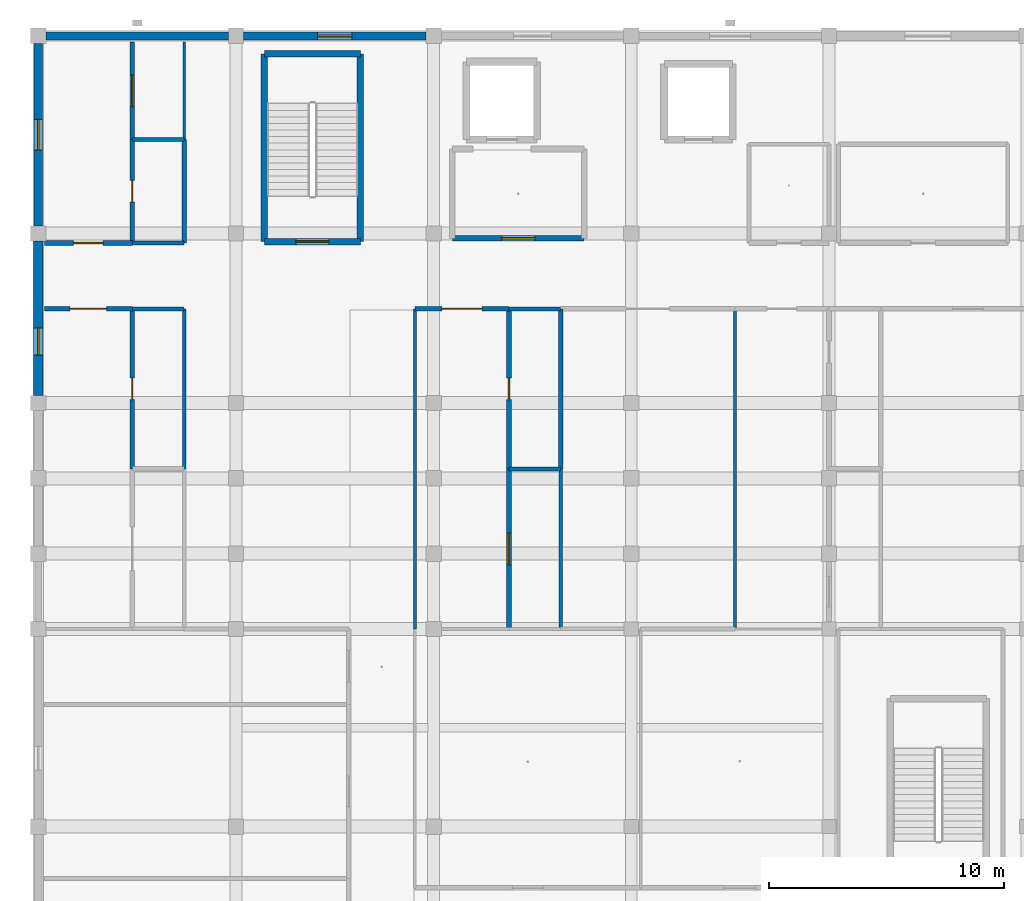
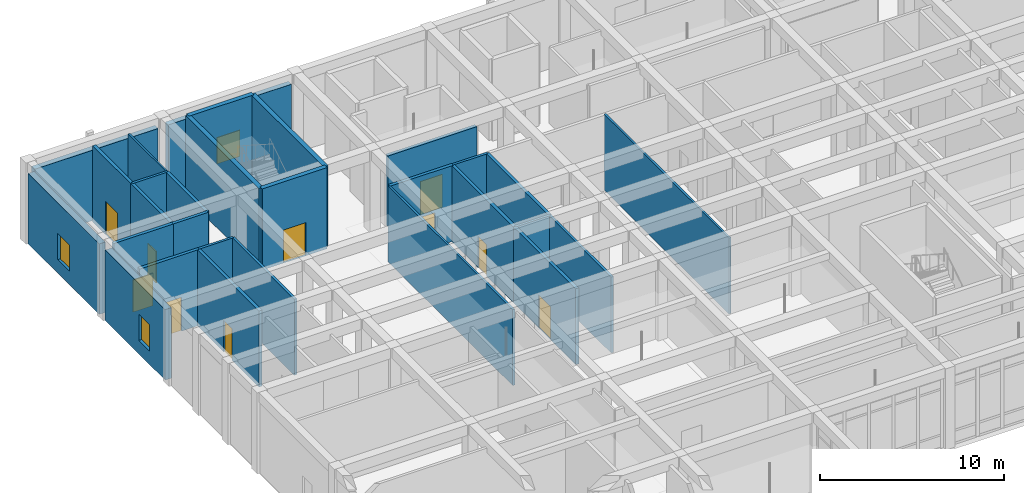
# One storey, part 81 of 157: 29 walls, 10 doors, 3 windows, 13 openings.
"""IFC4 building model written with IfcOpenShell, lengths in metres."""

from ifc_helpers import new_model, si_unit, direction, frame, frame_2d, origin, place, context, subcontext, project, spatial, rectangle, extrude, material, layer, layer_set, type_object, element, fill, save


model = new_model("IFC4")

# Units and contexts
model_context = context("Model", 3, precision=1e-05, world=origin(), true_north=direction((0.0, 1.0)))
body_context = subcontext(model_context, "Body", "Model", "MODEL_VIEW")
ifc_project = project(units=[si_unit("LENGTHUNIT", "METRE"), si_unit("AREAUNIT", "SQUARE_METRE"), si_unit("VOLUMEUNIT", "CUBIC_METRE"), si_unit("PLANEANGLEUNIT", "RADIAN"), si_unit("MASSUNIT", "GRAM", prefix="KILO")], contexts=[model_context])

# Site, building, storey
site_placement = place(None, origin())
site = spatial("IfcSite", under=ifc_project, at=site_placement, CompositionType="ELEMENT")
building_placement = place(site_placement, origin())
building = spatial("IfcBuilding", under=site, at=building_placement, Name="Varncliffe General Hospital", CompositionType="ELEMENT")
storey_placement = place(building_placement, frame((0.0, 0.0, 5.39990234375)))
storey = spatial("IfcBuildingStorey", under=building, at=storey_placement, Name="L01", CompositionType="ELEMENT", Elevation=5.39990234375)

# Wall, opening, window
ifc_material_1 = material(Name="Precast concrete C40/50 with insulated cream lime-cement stucco", Category="concrete")
ifc_layer_1 = layer(ifc_material_1, 0.3798828125)
ifc_layer_set_1 = layer_set([ifc_layer_1], Name="Precast concrete C40/50 with insulated cream lime-cement stucco")
wall_type_1 = type_object("IfcWallType", Name="Exterior Insulated Stucco Wall EW26 (380mm)", PredefinedType="SOLIDWALL", material=ifc_layer_set_1)
wall_1_placement = place(storey_placement, frame((0.0, 116.722900390625, 0.0), z_axis=(0.0, 0.0, 1.0), x_axis=(0.0, 1.0, 0.0)))
wall_1 = element("IfcWall", 1, at=wall_1_placement, inside=storey, type_object=wall_type_1, Name="L01 Exterior Stucco Wall EW26-113", PredefinedType="SOLIDWALL", context=body_context, shape_type="SweptSolid", body=[
    extrude(rectangle(XDim=7.754150390625, YDim=0.3798828125, at=frame_2d((3.876953125, 0.0))), origin(), (0.0, 0.0, 1.0), 4.68017578125),
])
opening_1_placement = place(wall_1_placement, frame((3.22705078125, 0.0, 0.89990234375)))
opening_1 = element("IfcOpeningElement", 2, at=opening_1_placement, cuts=wall_1, Name="Opening WN40", PredefinedType="OPENING", context=body_context, shape_type="SweptSolid", body=[
    extrude(rectangle(XDim=1.300048828125, YDim=1.75, at=frame_2d((0.64990234375, 0.875))), frame((0.0, 0.199951171875, 0.0), z_axis=(0.0, -1.0, 0.0), x_axis=(1.0, 0.0, 0.0)), (0.0, 0.0, 1.0), 0.39990234375),
])
ifc_material_2 = material(Name="Triple low-E argon insulated vision glazing", Category="glass")
window_type_1 = type_object("IfcWindowType", Name="Triple-Glazed Hospital Window WN40 (1300x1750)", PartitioningType="SINGLE_PANEL", PredefinedType="WINDOW", material=ifc_material_2)
window_1_placement = place(opening_1_placement, origin())
window_1 = element("IfcWindow", 3, at=window_1_placement, inside=storey, type_object=window_type_1, Name="L01 Hospital Window WN40-61", OverallHeight=1.75, OverallWidth=1.300048828125, PartitioningType="SINGLE_PANEL", PredefinedType="WINDOW", context=body_context, shape_type="SweptSolid", body=[
    extrude(rectangle(XDim=1.300048828125, YDim=1.75, at=frame_2d((0.64990234375, 0.875))), frame((0.0, 0.030029296875, 0.0), z_axis=(0.0, -1.0, 0.0), x_axis=(1.0, 0.0, 0.0)), (0.0, 0.0, 1.0), 0.06005859375),
])
fill(opening_1, window_1)

ifc_layer_2 = layer(ifc_material_1, 0.330078125)
ifc_layer_set_2 = layer_set([ifc_layer_2], Name="Precast concrete C40/50 with insulated cream lime-cement stucco")
wall_type_2 = type_object("IfcWallType", Name="Exterior Insulated Stucco Wall EW33 (330mm)", PredefinedType="SOLIDWALL", material=ifc_layer_set_2)
wall_2_placement = place(storey_placement, frame((8.722900390625, 124.800048828125, 0.0), z_axis=(0.0, 0.0, 1.0), x_axis=(1.0, 0.0, 0.0)))
wall_2 = element("IfcWall", 4, at=wall_2_placement, inside=storey, type_object=wall_type_2, Name="L01 Exterior Stucco Wall EW33-115", PredefinedType="SOLIDWALL", context=body_context, shape_type="SweptSolid", body=[
    extrude(rectangle(XDim=7.754150390625, YDim=0.330078125, at=frame_2d((3.876953125, 0.0))), origin(), (0.0, 0.0, 1.0), 4.68017578125),
])
opening_2_placement = place(wall_2_placement, frame((3.152099609375, 0.0, 0.89990234375)))
opening_2 = element("IfcOpeningElement", 5, at=opening_2_placement, cuts=wall_2, Name="Opening WN88", PredefinedType="OPENING", context=body_context, shape_type="SweptSolid", body=[
    extrude(rectangle(XDim=1.449951171875, YDim=1.75, at=frame_2d((0.72509765625, 0.875))), frame((0.0, 0.175048828125, 0.0), z_axis=(0.0, -1.0, 0.0), x_axis=(1.0, 0.0, 0.0)), (0.0, 0.0, 1.0), 0.35009765625),
])
window_type_2 = type_object("IfcWindowType", Name="Triple-Glazed Hospital Window WN88 (1450x1750)", PartitioningType="SINGLE_PANEL", PredefinedType="WINDOW", material=ifc_material_2)
window_2_placement = place(opening_2_placement, origin())
window_2 = element("IfcWindow", 6, at=window_2_placement, inside=storey, type_object=window_type_2, Name="L01 Hospital Window WN88-62", OverallHeight=1.75, OverallWidth=1.449951171875, PartitioningType="SINGLE_PANEL", PredefinedType="WINDOW", context=body_context, shape_type="SweptSolid", body=[
    extrude(rectangle(XDim=1.449951171875, YDim=1.75, at=frame_2d((0.72509765625, 0.875))), frame((0.0, 0.030029296875, 0.0), z_axis=(0.0, -1.0, 0.0), x_axis=(1.0, 0.0, 0.0)), (0.0, 0.0, 1.0), 0.06005859375),
])
fill(opening_2, window_2)

# Wall
ifc_layer_3 = layer(ifc_material_1, 0.35009765625)
ifc_layer_set_3 = layer_set([ifc_layer_3], Name="Precast concrete C40/50 with insulated cream lime-cement stucco")
wall_type_3 = type_object("IfcWallType", Name="Exterior Insulated Stucco Wall EW37 (350mm)", PredefinedType="SOLIDWALL", material=ifc_layer_set_3)
wall_3_placement = place(storey_placement, frame((0.322998046875, 124.800048828125, 0.0), z_axis=(0.0, 0.0, 1.0), x_axis=(1.0, 0.0, 0.0)))
element("IfcWall", 7, at=wall_3_placement, inside=storey, type_object=wall_type_3, Name="L01 Exterior Stucco Wall EW37-114", PredefinedType="SOLIDWALL", context=body_context, shape_type="SweptSolid", body=[
    extrude(rectangle(XDim=7.75390625, YDim=0.35009765625, at=frame_2d((3.876953125, 0.0))), origin(), (0.0, 0.0, 1.0), 4.68017578125),
])

# Wall, opening, window
ifc_layer_4 = layer(ifc_material_1, 0.39990234375)
ifc_layer_set_4 = layer_set([ifc_layer_4], Name="Precast concrete C40/50 with insulated cream lime-cement stucco")
wall_type_4 = type_object("IfcWallType", Name="Exterior Insulated Stucco Wall EW47 (400mm)", PredefinedType="SOLIDWALL", material=ifc_layer_set_4)
wall_4_placement = place(storey_placement, frame((0.0, 109.52294921875, 0.0), z_axis=(0.0, 0.0, 1.0), x_axis=(0.0, 1.0, 0.0)))
wall_4 = element("IfcWall", 8, at=wall_4_placement, inside=storey, type_object=wall_type_4, Name="L01 Exterior Stucco Wall EW47-112", PredefinedType="SOLIDWALL", context=body_context, shape_type="SweptSolid", body=[
    extrude(rectangle(XDim=6.553955078125, YDim=0.39990234375, at=frame_2d((3.27685546875, 0.0))), origin(), (0.0, 0.0, 1.0), 4.68017578125),
])
opening_3_placement = place(wall_4_placement, frame((1.711181640625, 0.0, 0.89990234375)))
opening_3 = element("IfcOpeningElement", 9, at=opening_3_placement, cuts=wall_4, Name="Opening WN60", PredefinedType="OPENING", context=body_context, shape_type="SweptSolid", body=[
    extrude(rectangle(XDim=1.14990234375, YDim=1.75, at=frame_2d((0.574951171875, 0.875))), frame((0.0, 0.2099609375, 0.0), z_axis=(0.0, -1.0, 0.0), x_axis=(1.0, 0.0, 0.0)), (0.0, 0.0, 1.0), 0.419921875),
])
window_type_3 = type_object("IfcWindowType", Name="Triple-Glazed Hospital Window WN60 (1150x1750)", PartitioningType="SINGLE_PANEL", PredefinedType="WINDOW", material=ifc_material_2)
window_3_placement = place(opening_3_placement, origin())
window_3 = element("IfcWindow", 10, at=window_3_placement, inside=storey, type_object=window_type_3, Name="L01 Hospital Window WN60-60", OverallHeight=1.75, OverallWidth=1.14990234375, PartitioningType="SINGLE_PANEL", PredefinedType="WINDOW", context=body_context, shape_type="SweptSolid", body=[
    extrude(rectangle(XDim=1.14990234375, YDim=1.75, at=frame_2d((0.574951171875, 0.875))), frame((0.0, 0.030029296875, 0.0), z_axis=(0.0, -1.0, 0.0), x_axis=(1.0, 0.0, 0.0)), (0.0, 0.0, 1.0), 0.06005859375),
])
fill(opening_3, window_3)

# Walls
ifc_material_3 = material(Name="Acoustic clinical gypsum stud partition assembly", Category="gypsum")
ifc_layer_5 = layer(ifc_material_3, 0.1298828125)
ifc_layer_set_5 = layer_set([ifc_layer_5], Name="Acoustic clinical gypsum stud partition assembly")
wall_type_5 = type_object("IfcWallType", Name="Interior Partitioning IW11 (130mm)", PredefinedType="PARTITIONING", material=ifc_layer_set_5)
for number, where, z_axis, x_axis, name in (
    (11, (16.0, 99.60009765625, 0.0), (0.0, 0.0, 1.0), (0.0, 1.0, 0.0), "L01 Interior Partition Wall IW11-693"),
    (12, (29.60009765625, 99.60009765625, 0.0), (0.0, 0.0, 1.0), (0.0, 1.0, 0.0), "L01 Interior Partition Wall IW11-708"),
):
    element("IfcWall", number, at=place(storey_placement, frame(where, z_axis=z_axis, x_axis=x_axis)), inside=storey, type_object=wall_type_5, Name=name, PredefinedType="PARTITIONING", context=body_context, shape_type="SweptSolid", body=[
        extrude(rectangle(XDim=13.599853515625, YDim=0.1298828125, at=frame_2d((6.7998046875, 0.0))), origin(), (0.0, 0.0, 1.0), 5.050048828125),
    ])
ifc_layer_6 = layer(ifc_material_3, 0.14990234375)
ifc_layer_set_6 = layer_set([ifc_layer_6], Name="Acoustic clinical gypsum stud partition assembly")
wall_type_6 = type_object("IfcWallType", Name="Interior Partitioning IW35 (150mm)", PredefinedType="PARTITIONING", material=ifc_layer_set_6)
wall_5_placement = place(storey_placement, frame((22.199951171875, 99.60009765625, 0.0), z_axis=(0.0, 0.0, 1.0), x_axis=(0.0, 1.0, 0.0)))
element("IfcWall", 13, at=wall_5_placement, inside=storey, type_object=wall_type_6, Name="L01 Interior Partition Wall IW35-699", PredefinedType="PARTITIONING", context=body_context, shape_type="SweptSolid", body=[
    extrude(rectangle(XDim=6.7998046875, YDim=0.14990234375, at=frame_2d((3.39990234375, 0.0))), origin(), (0.0, 0.0, 1.0), 5.050048828125),
])
ifc_layer_7 = layer(ifc_material_3, 0.110107421875)
ifc_layer_set_7 = layer_set([ifc_layer_7], Name="Acoustic clinical gypsum stud partition assembly")
wall_type_7 = type_object("IfcWallType", Name="Interior Partitioning IW65 (110mm)", PredefinedType="PARTITIONING", material=ifc_layer_set_7)
wall_6_placement = place(storey_placement, frame((6.199951171875, 120.39990234375, 0.0), z_axis=(0.0, 0.0, 1.0), x_axis=(0.0, 1.0, 0.0)))
element("IfcWall", 14, at=wall_6_placement, inside=storey, type_object=wall_type_7, Name="L01 Interior Partition Wall IW65-677", PredefinedType="PARTITIONING", context=body_context, shape_type="SweptSolid", body=[
    extrude(rectangle(XDim=4.14013671875, YDim=0.110107421875, at=frame_2d((2.070068359375, 0.0))), origin(), (0.0, 0.0, 1.0), 5.050048828125),
])

# Wall, opening, door
ifc_material_4 = material(Name="Fire-rated gypsum and mineral-wool partition assembly", Category="gypsum")
ifc_layer_8 = layer(ifc_material_4, 0.22998046875)
ifc_layer_set_8 = layer_set([ifc_layer_8], Name="Fire-rated gypsum and mineral-wool partition assembly")
wall_type_8 = type_object("IfcWallType", Name="Interior Partitioning PW48 (230mm)", PredefinedType="PARTITIONING", material=ifc_layer_set_8)
wall_7_placement = place(storey_placement, frame((17.60009765625, 116.199951171875, 0.0), z_axis=(0.0, 0.0, 1.0), x_axis=(1.0, 0.0, 0.0)))
wall_7 = element("IfcWall", 15, at=wall_7_placement, inside=storey, type_object=wall_type_8, Name="L01 Interior Partition Wall PW48-654", PredefinedType="PARTITIONING", context=body_context, shape_type="SweptSolid", body=[
    extrude(rectangle(XDim=5.599853515625, YDim=0.22998046875, at=frame_2d((2.7998046875, 0.0))), origin(), (0.0, 0.0, 1.0), 4.68505859375),
])
opening_4_placement = place(wall_7_placement, frame((2.10009765625, 0.0, 0.0)))
opening_4 = element("IfcOpeningElement", 16, at=opening_4_placement, cuts=wall_7, Name="Opening DF81", PredefinedType="OPENING", context=body_context, shape_type="SweptSolid", body=[
    extrude(rectangle(XDim=1.39990234375, YDim=2.199951171875, at=frame_2d((0.699951171875, 1.10009765625))), frame((0.0, 0.125, 0.0), z_axis=(0.0, -1.0, 0.0), x_axis=(1.0, 0.0, 0.0)), (0.0, 0.0, 1.0), 0.25),
])
ifc_material_5 = material(Name="Fire-rated hospital steel-frame vision-panel door", Category="steel")
door_type_1 = type_object("IfcDoorType", Name="Interior Hospital Door DF81 (1400x2200)", OperationType="NOTDEFINED", PredefinedType="DOOR", material=ifc_material_5)
door_1_placement = place(opening_4_placement, origin())
door_1 = element("IfcDoor", 17, at=door_1_placement, inside=storey, type_object=door_type_1, Name="L01 Firefighting Lift Lobby LF01 Door", OperationType="SINGLE_SWING_LEFT", OverallHeight=2.199951171875, OverallWidth=1.39990234375, PredefinedType="DOOR", context=body_context, shape_type="SweptSolid", body=[
    extrude(rectangle(XDim=1.39990234375, YDim=2.199951171875, at=frame_2d((0.699951171875, 1.10009765625))), frame((0.0, 0.02490234375, 0.0), z_axis=(0.0, -1.0, 0.0), x_axis=(1.0, 0.0, 0.0)), (0.0, 0.0, 1.0), 0.050048828125),
])
fill(opening_4, door_1)

ifc_layer_9 = layer(ifc_material_4, 0.199951171875)
ifc_layer_set_9 = layer_set([ifc_layer_9], Name="Fire-rated gypsum and mineral-wool partition assembly")
wall_type_9 = type_object("IfcWallType", Name="Interior Partitioning PW63 (200mm)", PredefinedType="PARTITIONING", material=ifc_layer_set_9)
wall_8_placement = place(storey_placement, frame((0.260009765625, 113.199951171875, 0.0), z_axis=(0.0, 0.0, 1.0), x_axis=(1.0, 0.0, 0.0)))
wall_8 = element("IfcWall", 18, at=wall_8_placement, inside=storey, type_object=wall_type_9, Name="L01 Interior Partition Wall PW63-614", PredefinedType="PARTITIONING", context=body_context, shape_type="SweptSolid", body=[
    extrude(rectangle(XDim=3.739990234375, YDim=0.199951171875, at=frame_2d((1.8701171875, 0.0))), origin(), (0.0, 0.0, 1.0), 5.050048828125),
])
opening_5_placement = place(wall_8_placement, frame((1.094970703125, 0.0, 0.0)))
opening_5 = element("IfcOpeningElement", 19, at=opening_5_placement, cuts=wall_8, Name="Opening DC67", PredefinedType="OPENING", context=body_context, shape_type="SweptSolid", body=[
    extrude(rectangle(XDim=1.550048828125, YDim=2.25, at=frame_2d((0.77490234375, 1.125))), frame((0.0, 0.10986328125, 0.0), z_axis=(0.0, -1.0, 0.0), x_axis=(1.0, 0.0, 0.0)), (0.0, 0.0, 1.0), 0.219970703125),
])
door_type_2 = type_object("IfcDoorType", Name="Interior Hospital Door DC67 (1550x2250)", OperationType="NOTDEFINED", PredefinedType="DOOR", material=ifc_material_5)
door_2_placement = place(opening_5_placement, frame((1.550048828125, 0.0, 0.0), z_axis=(0.0, 0.0, 1.0), x_axis=(-1.0, 0.0, 0.0)))
door_2 = element("IfcDoor", 20, at=door_2_placement, inside=storey, type_object=door_type_2, Name="L01 General Medical Inpatient Room 131 Door", OperationType="SINGLE_SWING_RIGHT", OverallHeight=2.25, OverallWidth=1.550048828125, PredefinedType="DOOR", context=body_context, shape_type="SweptSolid", body=[
    extrude(rectangle(XDim=1.550048828125, YDim=2.25, at=frame_2d((0.77490234375, 1.125))), frame((0.0, 0.02490234375, 0.0), z_axis=(0.0, -1.0, 0.0), x_axis=(1.0, 0.0, 0.0)), (0.0, 0.0, 1.0), 0.050048828125),
])
fill(opening_5, door_2)

wall_9_placement = place(storey_placement, frame((16.0, 113.199951171875, 0.0), z_axis=(0.0, 0.0, 1.0), x_axis=(1.0, 0.0, 0.0)))
wall_9 = element("IfcWall", 21, at=wall_9_placement, inside=storey, type_object=wall_type_9, Name="L01 Interior Partition Wall PW63-616", PredefinedType="PARTITIONING", context=body_context, shape_type="SweptSolid", body=[
    extrude(rectangle(XDim=4.0, YDim=0.199951171875, at=frame_2d((2.0, 0.0))), origin(), (0.0, 0.0, 1.0), 5.050048828125),
])
opening_6_placement = place(wall_9_placement, frame((1.14990234375, 0.0, 0.0)))
opening_6 = element("IfcOpeningElement", 22, at=opening_6_placement, cuts=wall_9, Name="Opening DC50", PredefinedType="OPENING", context=body_context, shape_type="SweptSolid", body=[
    extrude(rectangle(XDim=1.699951171875, YDim=2.300048828125, at=frame_2d((0.85009765625, 1.14990234375))), frame((0.0, 0.10986328125, 0.0), z_axis=(0.0, -1.0, 0.0), x_axis=(1.0, 0.0, 0.0)), (0.0, 0.0, 1.0), 0.219970703125),
])
door_type_3 = type_object("IfcDoorType", Name="Interior Hospital Door DC50 (1700x2300)", OperationType="NOTDEFINED", PredefinedType="DOOR", material=ifc_material_5)
door_3_placement = place(opening_6_placement, frame((1.699951171875, 0.0, 0.0), z_axis=(0.0, 0.0, 1.0), x_axis=(-1.0, 0.0, 0.0)))
door_3 = element("IfcDoor", 23, at=door_3_placement, inside=storey, type_object=door_type_3, Name="L01 General Medical Inpatient Room 134 Door", OperationType="SINGLE_SWING_LEFT", OverallHeight=2.300048828125, OverallWidth=1.699951171875, PredefinedType="DOOR", context=body_context, shape_type="SweptSolid", body=[
    extrude(rectangle(XDim=1.699951171875, YDim=2.300048828125, at=frame_2d((0.85009765625, 1.14990234375))), frame((0.0, 0.02490234375, 0.0), z_axis=(0.0, -1.0, 0.0), x_axis=(1.0, 0.0, 0.0)), (0.0, 0.0, 1.0), 0.050048828125),
])
fill(opening_6, door_3)

wall_10_placement = place(storey_placement, frame((0.260009765625, 116.0, 0.0), z_axis=(0.0, 0.0, 1.0), x_axis=(1.0, 0.0, 0.0)))
wall_10 = element("IfcWall", 24, at=wall_10_placement, inside=storey, type_object=wall_type_9, Name="L01 Interior Partition Wall PW63-641", PredefinedType="PARTITIONING", context=body_context, shape_type="SweptSolid", body=[
    extrude(rectangle(XDim=3.739990234375, YDim=0.199951171875, at=frame_2d((1.8701171875, 0.0))), origin(), (0.0, 0.0, 1.0), 5.050048828125),
])
opening_7_placement = place(wall_10_placement, frame((1.2451171875, 0.0, 0.0)))
opening_7 = element("IfcOpeningElement", 25, at=opening_7_placement, cuts=wall_10, Name="Opening DC44", PredefinedType="OPENING", context=body_context, shape_type="SweptSolid", body=[
    extrude(rectangle(XDim=1.25, YDim=2.14990234375, at=frame_2d((0.625, 1.074951171875))), frame((0.0, 0.10986328125, 0.0), z_axis=(0.0, -1.0, 0.0), x_axis=(1.0, 0.0, 0.0)), (0.0, 0.0, 1.0), 0.219970703125),
])
door_type_4 = type_object("IfcDoorType", Name="Interior Hospital Door DC44 (1250x2150)", OperationType="NOTDEFINED", PredefinedType="DOOR", material=ifc_material_5)
door_4_placement = place(opening_7_placement, origin())
door_4 = element("IfcDoor", 26, at=door_4_placement, inside=storey, type_object=door_type_4, Name="L01 General Medical Inpatient Room 168 Door", OperationType="SINGLE_SWING_LEFT", OverallHeight=2.14990234375, OverallWidth=1.25, PredefinedType="DOOR", context=body_context, shape_type="SweptSolid", body=[
    extrude(rectangle(XDim=1.25, YDim=2.14990234375, at=frame_2d((0.625, 1.074951171875))), frame((0.0, 0.02490234375, 0.0), z_axis=(0.0, -1.0, 0.0), x_axis=(1.0, 0.0, 0.0)), (0.0, 0.0, 1.0), 0.050048828125),
])
fill(opening_7, door_4)

wall_11_placement = place(storey_placement, frame((4.0, 106.39990234375, 0.0), z_axis=(0.0, 0.0, 1.0), x_axis=(0.0, 1.0, 0.0)))
wall_11 = element("IfcWall", 27, at=wall_11_placement, inside=storey, type_object=wall_type_9, Name="L01 Interior Partition Wall PW63-671", PredefinedType="PARTITIONING", context=body_context, shape_type="SweptSolid", body=[
    extrude(rectangle(XDim=6.800048828125, YDim=0.199951171875, at=frame_2d((3.39990234375, 0.0))), origin(), (0.0, 0.0, 1.0), 5.050048828125),
])
opening_8_placement = place(wall_11_placement, frame((2.93994140625, 0.0, 0.0)))
opening_8 = element("IfcOpeningElement", 28, at=opening_8_placement, cuts=wall_11, Name="Opening DI70", PredefinedType="OPENING", context=body_context, shape_type="SweptSolid", body=[
    extrude(rectangle(XDim=0.919921875, YDim=2.10009765625, at=frame_2d((0.4599609375, 1.050048828125))), frame((0.0, 0.10986328125, 0.0), z_axis=(0.0, -1.0, 0.0), x_axis=(1.0, 0.0, 0.0)), (0.0, 0.0, 1.0), 0.219970703125),
])
ifc_material_6 = material(Name="Solid-core antimicrobial hospital oak veneer door", Category="wood")
door_type_5 = type_object("IfcDoorType", Name="Interior Hospital Door DI70 (920x2100)", OperationType="NOTDEFINED", PredefinedType="DOOR", material=ifc_material_6)
door_5_placement = place(opening_8_placement, frame((0.919921875, 0.0, 0.0), z_axis=(0.0, 0.0, 1.0), x_axis=(-1.0, 0.0, 0.0)))
door_5 = element("IfcDoor", 29, at=door_5_placement, inside=storey, type_object=door_type_5, Name="L01 En-Suite Bathroom 132 Door", OperationType="SINGLE_SWING_LEFT", OverallHeight=2.10009765625, OverallWidth=0.919921875, PredefinedType="DOOR", context=body_context, shape_type="SweptSolid", body=[
    extrude(rectangle(XDim=0.919921875, YDim=2.10009765625, at=frame_2d((0.4599609375, 1.050048828125))), frame((0.0, 0.02490234375, 0.0), z_axis=(0.0, -1.0, 0.0), x_axis=(1.0, 0.0, 0.0)), (0.0, 0.0, 1.0), 0.050048828125),
])
fill(opening_8, door_5)

wall_12_placement = place(storey_placement, frame((4.0, 116.0, 0.0), z_axis=(0.0, 0.0, 1.0), x_axis=(0.0, 1.0, 0.0)))
wall_12 = element("IfcWall", 30, at=wall_12_placement, inside=storey, type_object=wall_type_9, Name="L01 Interior Partition Wall PW63-672", PredefinedType="PARTITIONING", context=body_context, shape_type="SweptSolid", body=[
    extrude(rectangle(XDim=4.39990234375, YDim=0.199951171875, at=frame_2d((2.199951171875, 0.0))), origin(), (0.0, 0.0, 1.0), 5.050048828125),
])
opening_9_placement = place(wall_12_placement, frame((1.739990234375, 0.0, 0.0)))
opening_9 = element("IfcOpeningElement", 31, at=opening_9_placement, cuts=wall_12, Name="Opening DI70", PredefinedType="OPENING", context=body_context, shape_type="SweptSolid", body=[
    extrude(rectangle(XDim=0.919921875, YDim=2.10009765625, at=frame_2d((0.4599609375, 1.050048828125))), frame((0.0, 0.10986328125, 0.0), z_axis=(0.0, -1.0, 0.0), x_axis=(1.0, 0.0, 0.0)), (0.0, 0.0, 1.0), 0.219970703125),
])
door_6_placement = place(opening_9_placement, frame((0.919921875, 0.0, 0.0), z_axis=(0.0, 0.0, 1.0), x_axis=(-1.0, 0.0, 0.0)))
door_6 = element("IfcDoor", 32, at=door_6_placement, inside=storey, type_object=door_type_5, Name="L01 En-Suite Bathroom 169 Door", OperationType="SINGLE_SWING_RIGHT", OverallHeight=2.10009765625, OverallWidth=0.919921875, PredefinedType="DOOR", context=body_context, shape_type="SweptSolid", body=[
    extrude(rectangle(XDim=0.919921875, YDim=2.10009765625, at=frame_2d((0.4599609375, 1.050048828125))), frame((0.0, 0.02490234375, 0.0), z_axis=(0.0, -1.0, 0.0), x_axis=(1.0, 0.0, 0.0)), (0.0, 0.0, 1.0), 0.050048828125),
])
fill(opening_9, door_6)

wall_13_placement = place(storey_placement, frame((4.0, 120.39990234375, 0.0), z_axis=(0.0, 0.0, 1.0), x_axis=(0.0, 1.0, 0.0)))
wall_13 = element("IfcWall", 33, at=wall_13_placement, inside=storey, type_object=wall_type_9, Name="L01 Interior Partition Wall PW63-673", PredefinedType="PARTITIONING", context=body_context, shape_type="SweptSolid", body=[
    extrude(rectangle(XDim=4.14013671875, YDim=0.199951171875, at=frame_2d((2.070068359375, 0.0))), origin(), (0.0, 0.0, 1.0), 5.050048828125),
])
opening_10_placement = place(wall_13_placement, frame((1.39501953125, 0.0, 0.0)))
opening_10 = element("IfcOpeningElement", 34, at=opening_10_placement, cuts=wall_13, Name="Opening DC85", PredefinedType="OPENING", context=body_context, shape_type="SweptSolid", body=[
    extrude(rectangle(XDim=1.35009765625, YDim=2.199951171875, at=frame_2d((0.675048828125, 1.10009765625))), frame((0.0, 0.10986328125, 0.0), z_axis=(0.0, -1.0, 0.0), x_axis=(1.0, 0.0, 0.0)), (0.0, 0.0, 1.0), 0.219970703125),
])
door_type_6 = type_object("IfcDoorType", Name="Interior Hospital Door DC85 (1350x2200)", OperationType="NOTDEFINED", PredefinedType="DOOR", material=ifc_material_5)
door_7_placement = place(opening_10_placement, frame((1.35009765625, 0.0, 0.0), z_axis=(0.0, 0.0, 1.0), x_axis=(-1.0, 0.0, 0.0)))
door_7 = element("IfcDoor", 35, at=door_7_placement, inside=storey, type_object=door_type_6, Name="L01 Patient Medication and Hygiene Bay 170 Door", OperationType="SINGLE_SWING_LEFT", OverallHeight=2.199951171875, OverallWidth=1.35009765625, PredefinedType="DOOR", context=body_context, shape_type="SweptSolid", body=[
    extrude(rectangle(XDim=1.35009765625, YDim=2.199951171875, at=frame_2d((0.675048828125, 1.10009765625))), frame((0.0, 0.02490234375, 0.0), z_axis=(0.0, -1.0, 0.0), x_axis=(1.0, 0.0, 0.0)), (0.0, 0.0, 1.0), 0.050048828125),
])
fill(opening_10, door_7)

wall_14_placement = place(storey_placement, frame((20.0, 99.60009765625, 0.0), z_axis=(0.0, 0.0, 1.0), x_axis=(0.0, 1.0, 0.0)))
wall_14 = element("IfcWall", 36, at=wall_14_placement, inside=storey, type_object=wall_type_9, Name="L01 Interior Partition Wall PW63-695", PredefinedType="PARTITIONING", context=body_context, shape_type="SweptSolid", body=[
    extrude(rectangle(XDim=6.7998046875, YDim=0.199951171875, at=frame_2d((3.39990234375, 0.0))), origin(), (0.0, 0.0, 1.0), 5.050048828125),
])
opening_11_placement = place(wall_14_placement, frame((2.72509765625, 0.0, 0.0)))
opening_11 = element("IfcOpeningElement", 37, at=opening_11_placement, cuts=wall_14, Name="Opening DC85", PredefinedType="OPENING", context=body_context, shape_type="SweptSolid", body=[
    extrude(rectangle(XDim=1.35009765625, YDim=2.199951171875, at=frame_2d((0.675048828125, 1.10009765625))), frame((0.0, 0.10986328125, 0.0), z_axis=(0.0, -1.0, 0.0), x_axis=(1.0, 0.0, 0.0)), (0.0, 0.0, 1.0), 0.219970703125),
])
door_8_placement = place(opening_11_placement, frame((1.35009765625, 0.0, 0.0), z_axis=(0.0, 0.0, 1.0), x_axis=(-1.0, 0.0, 0.0)))
door_8 = element("IfcDoor", 38, at=door_8_placement, inside=storey, type_object=door_type_6, Name="L01 Patient Medication and Hygiene Bay 136 Door", OperationType="SINGLE_SWING_LEFT", OverallHeight=2.199951171875, OverallWidth=1.35009765625, PredefinedType="DOOR", context=body_context, shape_type="SweptSolid", body=[
    extrude(rectangle(XDim=1.35009765625, YDim=2.199951171875, at=frame_2d((0.675048828125, 1.10009765625))), frame((0.0, 0.02490234375, 0.0), z_axis=(0.0, -1.0, 0.0), x_axis=(1.0, 0.0, 0.0)), (0.0, 0.0, 1.0), 0.050048828125),
])
fill(opening_11, door_8)

wall_15_placement = place(storey_placement, frame((20.0, 106.39990234375, 0.0), z_axis=(0.0, 0.0, 1.0), x_axis=(0.0, 1.0, 0.0)))
wall_15 = element("IfcWall", 39, at=wall_15_placement, inside=storey, type_object=wall_type_9, Name="L01 Interior Partition Wall PW63-696", PredefinedType="PARTITIONING", context=body_context, shape_type="SweptSolid", body=[
    extrude(rectangle(XDim=6.800048828125, YDim=0.199951171875, at=frame_2d((3.39990234375, 0.0))), origin(), (0.0, 0.0, 1.0), 5.050048828125),
])
opening_12_placement = place(wall_15_placement, frame((2.93994140625, 0.0, 0.0)))
opening_12 = element("IfcOpeningElement", 40, at=opening_12_placement, cuts=wall_15, Name="Opening DI70", PredefinedType="OPENING", context=body_context, shape_type="SweptSolid", body=[
    extrude(rectangle(XDim=0.919921875, YDim=2.10009765625, at=frame_2d((0.4599609375, 1.050048828125))), frame((0.0, 0.10986328125, 0.0), z_axis=(0.0, -1.0, 0.0), x_axis=(1.0, 0.0, 0.0)), (0.0, 0.0, 1.0), 0.219970703125),
])
door_9_placement = place(opening_12_placement, frame((0.919921875, 0.0, 0.0), z_axis=(0.0, 0.0, 1.0), x_axis=(-1.0, 0.0, 0.0)))
door_9 = element("IfcDoor", 41, at=door_9_placement, inside=storey, type_object=door_type_5, Name="L01 En-Suite Bathroom 135 Door", OperationType="SINGLE_SWING_RIGHT", OverallHeight=2.10009765625, OverallWidth=0.919921875, PredefinedType="DOOR", context=body_context, shape_type="SweptSolid", body=[
    extrude(rectangle(XDim=0.919921875, YDim=2.10009765625, at=frame_2d((0.4599609375, 1.050048828125))), frame((0.0, 0.02490234375, 0.0), z_axis=(0.0, -1.0, 0.0), x_axis=(1.0, 0.0, 0.0)), (0.0, 0.0, 1.0), 0.050048828125),
])
fill(opening_12, door_9)

# Walls
ifc_material_7 = material(Name="Moisture-resistant plumbing chase wall assembly", Category="gypsum")
ifc_layer_10 = layer(ifc_material_7, 0.18994140625)
ifc_layer_set_10 = layer_set([ifc_layer_10], Name="Moisture-resistant plumbing chase wall assembly")
wall_type_10 = type_object("IfcWallType", Name="Interior Plumbingwall MW17 (190mm)", PredefinedType="PLUMBINGWALL", material=ifc_layer_set_10)
wall_16_placement = place(storey_placement, frame((4.0, 116.0, 0.0), z_axis=(0.0, 0.0, 1.0), x_axis=(1.0, 0.0, 0.0)))
element("IfcWall", 42, at=wall_16_placement, inside=storey, type_object=wall_type_10, Name="L01 Interior Plumbing Wall MW17-642", PredefinedType="PLUMBINGWALL", context=body_context, shape_type="SweptSolid", body=[
    extrude(rectangle(XDim=2.199951171875, YDim=0.18994140625, at=frame_2d((1.10009765625, 0.0))), origin(), (0.0, 0.0, 1.0), 5.050048828125),
])
wall_17_placement = place(storey_placement, frame((6.199951171875, 116.0, 0.0), z_axis=(0.0, 0.0, 1.0), x_axis=(0.0, 1.0, 0.0)))
element("IfcWall", 43, at=wall_17_placement, inside=storey, type_object=wall_type_10, Name="L01 Interior Plumbing Wall MW17-676", PredefinedType="PLUMBINGWALL", context=body_context, shape_type="SweptSolid", body=[
    extrude(rectangle(XDim=4.39990234375, YDim=0.18994140625, at=frame_2d((2.199951171875, 0.0))), origin(), (0.0, 0.0, 1.0), 5.050048828125),
])
wall_18_placement = place(storey_placement, frame((22.199951171875, 106.39990234375, 0.0), z_axis=(0.0, 0.0, 1.0), x_axis=(0.0, 1.0, 0.0)))
element("IfcWall", 44, at=wall_18_placement, inside=storey, type_object=wall_type_10, Name="L01 Interior Plumbing Wall MW17-700", PredefinedType="PLUMBINGWALL", context=body_context, shape_type="SweptSolid", body=[
    extrude(rectangle(XDim=6.800048828125, YDim=0.18994140625, at=frame_2d((3.39990234375, 0.0))), origin(), (0.0, 0.0, 1.0), 5.050048828125),
])
ifc_layer_11 = layer(ifc_material_7, 0.159912109375)
ifc_layer_set_11 = layer_set([ifc_layer_11], Name="Moisture-resistant plumbing chase wall assembly")
wall_type_11 = type_object("IfcWallType", Name="Interior Plumbingwall MW31 (160mm)", PredefinedType="PLUMBINGWALL", material=ifc_layer_set_11)
for number, where, z_axis, x_axis, name in (
    (45, (20.0, 106.39990234375, 0.0), (0.0, 0.0, 1.0), (1.0, 0.0, 0.0), "L01 Interior Plumbing Wall MW31-605"),
    (46, (4.0, 113.199951171875, 0.0), (0.0, 0.0, 1.0), (1.0, 0.0, 0.0), "L01 Interior Plumbing Wall MW31-615"),
    (47, (20.0, 113.199951171875, 0.0), (0.0, 0.0, 1.0), (1.0, 0.0, 0.0), "L01 Interior Plumbing Wall MW31-617"),
    (48, (4.0, 120.39990234375, 0.0), (0.0, 0.0, 1.0), (1.0, 0.0, 0.0), "L01 Interior Plumbing Wall MW31-667"),
):
    element("IfcWall", number, at=place(storey_placement, frame(where, z_axis=z_axis, x_axis=x_axis)), inside=storey, type_object=wall_type_11, Name=name, PredefinedType="PLUMBINGWALL", context=body_context, shape_type="SweptSolid", body=[
        extrude(rectangle(XDim=2.199951171875, YDim=0.159912109375, at=frame_2d((1.10009765625, 0.0))), origin(), (0.0, 0.0, 1.0), 5.050048828125),
    ])
wall_19_placement = place(storey_placement, frame((6.199951171875, 106.39990234375, 0.0), z_axis=(0.0, 0.0, 1.0), x_axis=(0.0, 1.0, 0.0)))
element("IfcWall", 49, at=wall_19_placement, inside=storey, type_object=wall_type_11, Name="L01 Interior Plumbing Wall MW31-675", PredefinedType="PLUMBINGWALL", context=body_context, shape_type="SweptSolid", body=[
    extrude(rectangle(XDim=6.800048828125, YDim=0.159912109375, at=frame_2d((3.39990234375, 0.0))), origin(), (0.0, 0.0, 1.0), 5.050048828125),
])
ifc_material_8 = material(Name="Concrete C40/50 (CSA A23.1 40 MPa)", Category="concrete")
ifc_layer_12 = layer(ifc_material_8, 0.280029296875)
ifc_layer_set_12 = layer_set([ifc_layer_12], Name="Concrete C40/50 (CSA A23.1 40 MPa)")
wall_type_12 = type_object("IfcWallType", Name="Reinforced Concrete Core Shear Wall CW13 (280mm)", PredefinedType="SHEAR", material=ifc_layer_set_12)
wall_20_placement = place(storey_placement, frame((13.68994140625, 116.06005859375, 0.0), z_axis=(0.0, 0.0, 1.0), x_axis=(0.0, 1.0, 0.0)))
element("IfcWall", 50, at=wall_20_placement, inside=storey, type_object=wall_type_12, Name="L01 ST01 Core Shear Wall L", PredefinedType="SHEAR", context=body_context, shape_type="SweptSolid", body=[
    extrude(rectangle(XDim=7.97998046875, YDim=0.280029296875, at=frame_2d((3.989990234375, 0.0))), origin(), (0.0, 0.0, 1.0), 5.400146484375),
])
wall_21_placement = place(storey_placement, frame((13.68994140625, 124.0400390625, 0.0), z_axis=(0.0, 0.0, 1.0), x_axis=(-1.0, 0.0, 0.0)))
element("IfcWall", 51, at=wall_21_placement, inside=storey, type_object=wall_type_12, Name="L01 ST01 Core Shear Wall F", PredefinedType="SHEAR", context=body_context, shape_type="SweptSolid", body=[
    extrude(rectangle(XDim=4.079833984375, YDim=0.280029296875, at=frame_2d((2.0400390625, 0.0))), origin(), (0.0, 0.0, 1.0), 5.400146484375),
])
wall_22_placement = place(storey_placement, frame((9.610107421875, 124.0400390625, 0.0), z_axis=(0.0, 0.0, 1.0), x_axis=(0.0, -1.0, 0.0)))
element("IfcWall", 52, at=wall_22_placement, inside=storey, type_object=wall_type_12, Name="L01 ST01 Core Shear Wall R", PredefinedType="SHEAR", context=body_context, shape_type="SweptSolid", body=[
    extrude(rectangle(XDim=7.97998046875, YDim=0.280029296875, at=frame_2d((3.989990234375, 0.0))), origin(), (0.0, 0.0, 1.0), 5.400146484375),
])

# Wall, opening, door
wall_23_placement = place(storey_placement, frame((9.610107421875, 116.06005859375, 0.0), z_axis=(0.0, 0.0, 1.0), x_axis=(1.0, 0.0, 0.0)))
wall_23 = element("IfcWall", 53, at=wall_23_placement, inside=storey, type_object=wall_type_12, Name="L01 ST01 Core Shear Wall N", PredefinedType="SHEAR", context=body_context, shape_type="SweptSolid", body=[
    extrude(rectangle(XDim=4.079833984375, YDim=0.280029296875, at=frame_2d((2.0400390625, 0.0))), origin(), (0.0, 0.0, 1.0), 5.400146484375),
])
opening_13_placement = place(wall_23_placement, frame((1.340087890625, 0.0, 0.0)))
opening_13 = element("IfcOpeningElement", 54, at=opening_13_placement, cuts=wall_23, Name="Opening DF81", PredefinedType="OPENING", context=body_context, shape_type="SweptSolid", body=[
    extrude(rectangle(XDim=1.39990234375, YDim=2.199951171875, at=frame_2d((0.699951171875, 1.10009765625))), frame((0.0, 0.14990234375, 0.0), z_axis=(0.0, -1.0, 0.0), x_axis=(1.0, 0.0, 0.0)), (0.0, 0.0, 1.0), 0.300048828125),
])
door_10_placement = place(opening_13_placement, frame((1.39990234375, 0.0, 0.0), z_axis=(0.0, 0.0, 1.0), x_axis=(-1.0, 0.0, 0.0)))
door_10 = element("IfcDoor", 55, at=door_10_placement, inside=storey, type_object=door_type_1, Name="L01 ST01 Protected Exit Stair Door", OperationType="SINGLE_SWING_LEFT", OverallHeight=2.199951171875, OverallWidth=1.39990234375, PredefinedType="DOOR", context=body_context, shape_type="SweptSolid", body=[
    extrude(rectangle(XDim=1.39990234375, YDim=2.199951171875, at=frame_2d((0.699951171875, 1.10009765625))), frame((0.0, 0.02490234375, 0.0), z_axis=(0.0, -1.0, 0.0), x_axis=(1.0, 0.0, 0.0)), (0.0, 0.0, 1.0), 0.050048828125),
])
fill(opening_13, door_10)

save(model, "model.ifc")
